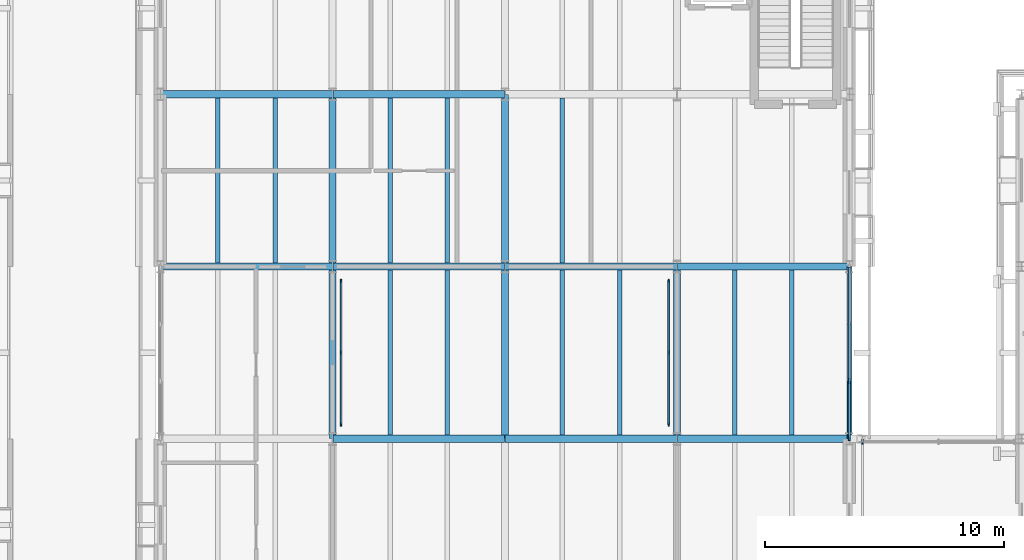
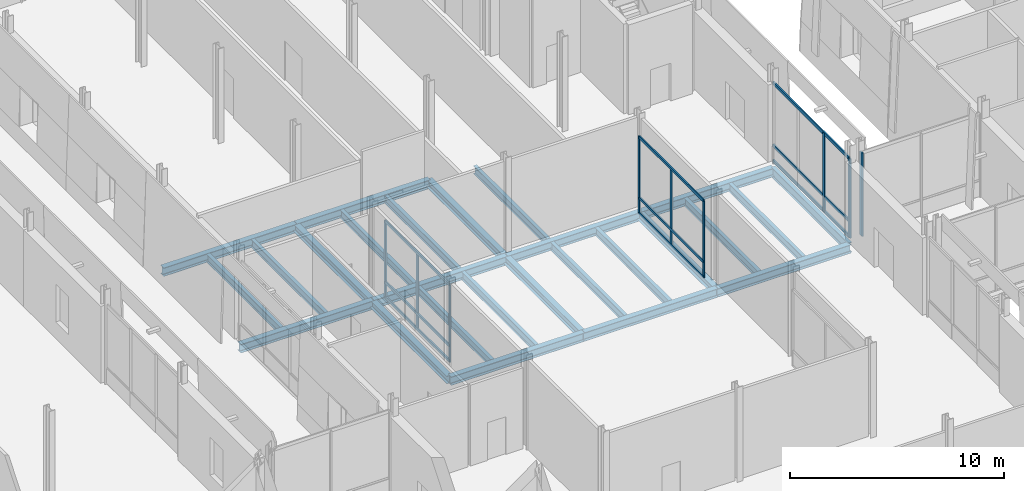
# One storey, part 29 of 120: 26 beams, 18 members, 4 elements without a shape of their own.
"""IFC4 building model written with IfcOpenShell, lengths in metres."""

from ifc_helpers import new_model, si_unit, direction, frame, origin, origin_2d, place, context, subcontext, project, spatial, rectangle, i_section, extrude, material, layer, layer_set, material_profile, profile_set, type_object, element, aggregate, save


model = new_model("IFC4")

# Units and contexts
model_context = context("Model", 3, precision=1e-05, world=origin(), true_north=direction((0.0, 1.0)))
body_context = subcontext(model_context, "Body", "Model", "MODEL_VIEW")
ifc_project = project(units=[si_unit("LENGTHUNIT", "METRE"), si_unit("AREAUNIT", "SQUARE_METRE"), si_unit("VOLUMEUNIT", "CUBIC_METRE"), si_unit("PLANEANGLEUNIT", "RADIAN"), si_unit("MASSUNIT", "GRAM", prefix="KILO")], contexts=[model_context])

# Site, building, storey
site_placement = place(None, origin())
site = spatial("IfcSite", under=ifc_project, at=site_placement, CompositionType="ELEMENT")
building_placement = place(site_placement, origin())
building = spatial("IfcBuilding", under=site, at=building_placement, Name="Narikvali Park Central Library", CompositionType="ELEMENT")
storey_placement = place(building_placement, origin())
storey = spatial("IfcBuildingStorey", under=building, at=storey_placement, Name="L00", CompositionType="ELEMENT", Elevation=0.0)

# Beams
ifc_material_1 = material(Name="Steel S355", Category="steel")
ifc_material_profile_1 = material_profile(ifc_material_1, i_section(OverallWidth=0.18994140625, OverallDepth=0.449951171875, WebThickness=0.009521484375, FlangeThickness=0.0146484375, FilletRadius=0.02099609375, at=origin_2d()), Name="IPE 450")
ifc_profile_set_1 = profile_set([ifc_material_profile_1], Name="Steel S355")
beam_type_1 = type_object("IfcBeamType", Name="Composite Floor Joist IPE450", PredefinedType="JOIST", material=ifc_profile_set_1)
for number, where, z_axis, x_axis, name in (
    (1, (31.199951171875, 86.550048828125, -0.544921875), (0.0, 1.0, 0.0), (-1.0, 0.0, 0.0), "V4 L00 Composite Joist 1"),
    (2, (33.60009765625, 86.550048828125, -0.544921875), (0.0, 1.0, 0.0), (-1.0, 0.0, 0.0), "V4 L00 Composite Joist 2"),
    (3, (38.39990234375, 79.35009765625, -0.544921875), (0.0, 1.0, 0.0), (-1.0, 0.0, 0.0), "V4 L00 Composite Joist 1"),
    (4, (40.800048828125, 79.35009765625, -0.544921875), (0.0, 1.0, 0.0), (-1.0, 0.0, 0.0), "V4 L00 Composite Joist 2"),
    (5, (38.39990234375, 86.550048828125, -0.544921875), (0.0, 1.0, 0.0), (-1.0, 0.0, 0.0), "V4 L00 Composite Joist 1"),
    (6, (40.800048828125, 86.550048828125, -0.544921875), (0.0, 1.0, 0.0), (-1.0, 0.0, 0.0), "V4 L00 Composite Joist 2"),
    (7, (45.60009765625, 79.35009765625, -0.544921875), (0.0, 1.0, 0.0), (-1.0, 0.0, 0.0), "V4 L00 Composite Joist 1"),
    (8, (48.0, 79.35009765625, -0.544921875), (0.0, 1.0, 0.0), (-1.0, 0.0, 0.0), "V4 L00 Composite Joist 2"),
    (9, (45.60009765625, 86.550048828125, -0.544921875), (0.0, 1.0, 0.0), (-1.0, 0.0, 0.0), "V4 L00 Composite Joist 1"),
    (10, (52.800048828125, 79.35009765625, -0.544921875), (0.0, 1.0, 0.0), (-1.0, 0.0, 0.0), "V4 L00 Composite Joist 1"),
    (11, (55.199951171875, 79.35009765625, -0.544921875), (0.0, 1.0, 0.0), (-1.0, 0.0, 0.0), "V4 L00 Composite Joist 2"),
):
    element("IfcBeam", number, at=place(storey_placement, frame(where, z_axis=z_axis, x_axis=x_axis)), inside=storey, type_object=beam_type_1, Name=name, PredefinedType="JOIST", context=body_context, shape_type="SweptSolid", body=[
        extrude(i_section(OverallWidth=0.18994140625, OverallDepth=0.449951171875, WebThickness=0.009521484375, FlangeThickness=0.0146484375, FilletRadius=0.02099609375, at=origin_2d()), origin(), (0.0, 0.0, 1.0), 6.89990234375),
    ])

# Curtain wall, members
ifc_material_2 = material(Name="Anodised Bronze Aluminium", Category="aluminium")
ifc_layer_1 = layer(ifc_material_2, 0.219970703125, Name="Anodised Bronze Aluminium")
ifc_layer_set_1 = layer_set([ifc_layer_1], Name="Anodised Bronze Aluminium")
curtain_wall_type_1 = type_object("IfcCurtainWallType", Name="Atrium Tall Curtain Wall System", PredefinedType="NOTDEFINED", material=ifc_layer_set_1)
curtain_wall_1_placement = place(storey_placement, origin())
curtain_wall_1 = element("IfcCurtainWall", 12, at=curtain_wall_1_placement, inside=storey, type_object=curtain_wall_type_1, Name="Atrium Tall Curtain Wall System CW-V4-L00-E-05", PredefinedType="NOTDEFINED")
ifc_material_profile_2 = material_profile(ifc_material_2, rectangle(XDim=0.074951171875, YDim=0.219970703125, at=origin_2d()), Name="CW MULLION 75x220")
ifc_profile_set_2 = profile_set([ifc_material_profile_2], Name="Anodised Bronze Aluminium")
member_type_1 = type_object("IfcMemberType", Name="Curtain Wall Heavy Mullion 75x220", PredefinedType="MULLION", material=ifc_profile_set_2)
member_1_placement = place(storey_placement, frame((57.60009765625, 79.238037109375, -0.010009765625), z_axis=(0.0, 0.0, 1.0), x_axis=(1.0, 0.0, 0.0)))
member_1 = element("IfcMember", 13, at=member_1_placement, type_object=member_type_1, Name="CW-V4-L00-E-05 Mullion 00", PredefinedType="MULLION", context=body_context, shape_type="SweptSolid", body=[
    extrude(rectangle(XDim=0.074951171875, YDim=0.219970703125, at=origin_2d()), origin(), (0.0, 0.0, 1.0), 4.510009765625),
])
member_2_placement = place(storey_placement, frame((57.60009765625, 81.61279296875, -0.010009765625), z_axis=(0.0, 0.0, 1.0), x_axis=(1.0, 0.0, 0.0)))
member_2 = element("IfcMember", 14, at=member_2_placement, type_object=member_type_1, Name="CW-V4-L00-E-05 Mullion 01", PredefinedType="MULLION", context=body_context, shape_type="SweptSolid", body=[
    extrude(rectangle(XDim=0.074951171875, YDim=0.219970703125, at=origin_2d()), origin(), (0.0, 0.0, 1.0), 4.510009765625),
])

# Curtain wall, member
ifc_layer_2 = layer(ifc_material_2, 0.219970703125, Name="Anodised Bronze Aluminium")
ifc_layer_set_2 = layer_set([ifc_layer_2], Name="Anodised Bronze Aluminium")
curtain_wall_type_2 = type_object("IfcCurtainWallType", Name="Bridge Covered Passage Glazing System", PredefinedType="NOTDEFINED", material=ifc_layer_set_2)
curtain_wall_2_placement = place(storey_placement, origin())
curtain_wall_2 = element("IfcCurtainWall", 15, at=curtain_wall_2_placement, inside=storey, type_object=curtain_wall_type_2, Name="Bridge Covered Passage Glazing System CW-BRG-2-L00-N1", PredefinedType="NOTDEFINED")
member_3_placement = place(storey_placement, frame((58.14990234375, 79.080078125, -0.010009765625), z_axis=(0.0, 0.0, 1.0), x_axis=(1.0, 0.0, 0.0)))
member_3 = element("IfcMember", 16, at=member_3_placement, type_object=member_type_1, Name="CW-BRG-2-L00-N1 Mullion 00", PredefinedType="MULLION", context=body_context, shape_type="SweptSolid", body=[
    extrude(rectangle(XDim=0.074951171875, YDim=0.219970703125, at=origin_2d()), origin(), (0.0, 0.0, 1.0), 4.760009765625),
])
aggregate(curtain_wall_2, [member_3])

# Member
ifc_material_profile_3 = material_profile(ifc_material_2, rectangle(XDim=0.074951171875, YDim=0.179931640625, at=origin_2d()), Name="CW TRANSOM 75x180")
ifc_profile_set_3 = profile_set([ifc_material_profile_3], Name="Anodised Bronze Aluminium")
member_type_2 = type_object("IfcMemberType", Name="Curtain Wall Heavy Transom 75x180", PredefinedType="USERDEFINED", material=ifc_profile_set_3)
member_4_placement = place(storey_placement, frame((57.60009765625, 79.238037109375, 0.030029296875), z_axis=(0.0, 1.0, 0.0), x_axis=(-1.0, 0.0, 0.0)))
member_4 = element("IfcMember", 17, at=member_4_placement, type_object=member_type_2, Name="CW-V4-L00-E-05 Transom 00", ObjectType="TRANSOM", PredefinedType="USERDEFINED", context=body_context, shape_type="SweptSolid", body=[
    extrude(rectangle(XDim=0.074951171875, YDim=0.179931640625, at=origin_2d()), origin(), (0.0, 0.0, 1.0), 7.1240234375),
])

member_5_placement = place(storey_placement, frame((57.60009765625, 79.238037109375, 0.89990234375), z_axis=(0.0, 1.0, 0.0), x_axis=(-1.0, 0.0, 0.0)))
member_5 = element("IfcMember", 18, at=member_5_placement, type_object=member_type_2, Name="CW-V4-L00-E-05 Transom 01", ObjectType="TRANSOM", PredefinedType="USERDEFINED", context=body_context, shape_type="SweptSolid", body=[
    extrude(rectangle(XDim=0.074951171875, YDim=0.179931640625, at=origin_2d()), origin(), (0.0, 0.0, 1.0), 7.1240234375),
])

member_6_placement = place(storey_placement, frame((57.60009765625, 79.238037109375, 4.469970703125), z_axis=(0.0, 1.0, 0.0), x_axis=(-1.0, 0.0, 0.0)))
member_6 = element("IfcMember", 19, at=member_6_placement, type_object=member_type_2, Name="CW-V4-L00-E-05 Transom 02", ObjectType="TRANSOM", PredefinedType="USERDEFINED", context=body_context, shape_type="SweptSolid", body=[
    extrude(rectangle(XDim=0.074951171875, YDim=0.179931640625, at=origin_2d()), origin(), (0.0, 0.0, 1.0), 7.1240234375),
])

aggregate(curtain_wall_1, [member_1, member_2, member_4, member_5, member_6])

# Curtain wall, members
curtain_wall_3_placement = place(storey_placement, origin())
curtain_wall_3 = element("IfcCurtainWall", 20, at=curtain_wall_3_placement, inside=storey, type_object=curtain_wall_type_1, Name="Atrium Tall Curtain Wall System CW-GAL-V4-L00-ATR-W2", PredefinedType="NOTDEFINED")
ifc_material_profile_4 = material_profile(ifc_material_2, rectangle(XDim=0.06005859375, YDim=0.14990234375, at=origin_2d()), Name="CW MULLION 60x150")
ifc_profile_set_4 = profile_set([ifc_material_profile_4], Name="Anodised Bronze Aluminium")
member_type_3 = type_object("IfcMemberType", Name="Curtain Wall Mullion 60x150", PredefinedType="MULLION", material=ifc_profile_set_4)
member_7_placement = place(storey_placement, frame((36.35009765625, 79.800048828125, -0.010009765625), z_axis=(0.0, 0.0, 1.0), x_axis=(1.0, 0.0, 0.0)))
member_7 = element("IfcMember", 21, at=member_7_placement, type_object=member_type_3, Name="CW-GAL-V4-L00-ATR-W2 Mullion 00", PredefinedType="MULLION", context=body_context, shape_type="SweptSolid", body=[
    extrude(rectangle(XDim=0.06005859375, YDim=0.14990234375, at=origin_2d()), origin(), (0.0, 0.0, 1.0), 4.409912109375),
])
member_8_placement = place(storey_placement, frame((36.35009765625, 82.800048828125, -0.010009765625), z_axis=(0.0, 0.0, 1.0), x_axis=(1.0, 0.0, 0.0)))
member_8 = element("IfcMember", 22, at=member_8_placement, type_object=member_type_3, Name="CW-GAL-V4-L00-ATR-W2 Mullion 01", PredefinedType="MULLION", context=body_context, shape_type="SweptSolid", body=[
    extrude(rectangle(XDim=0.06005859375, YDim=0.14990234375, at=origin_2d()), origin(), (0.0, 0.0, 1.0), 4.409912109375),
])
member_9_placement = place(storey_placement, frame((36.35009765625, 85.800048828125, -0.010009765625), z_axis=(0.0, 0.0, 1.0), x_axis=(1.0, 0.0, 0.0)))
member_9 = element("IfcMember", 23, at=member_9_placement, type_object=member_type_3, Name="CW-GAL-V4-L00-ATR-W2 Mullion 02", PredefinedType="MULLION", context=body_context, shape_type="SweptSolid", body=[
    extrude(rectangle(XDim=0.06005859375, YDim=0.14990234375, at=origin_2d()), origin(), (0.0, 0.0, 1.0), 4.409912109375),
])

curtain_wall_4_placement = place(storey_placement, origin())
curtain_wall_4 = element("IfcCurtainWall", 24, at=curtain_wall_4_placement, inside=storey, type_object=curtain_wall_type_1, Name="Atrium Tall Curtain Wall System CW-GAL-V4-L00-ATR-E2", PredefinedType="NOTDEFINED")
member_10_placement = place(storey_placement, frame((50.050048828125, 79.800048828125, -0.010009765625), z_axis=(0.0, 0.0, 1.0), x_axis=(1.0, 0.0, 0.0)))
member_10 = element("IfcMember", 25, at=member_10_placement, type_object=member_type_3, Name="CW-GAL-V4-L00-ATR-E2 Mullion 00", PredefinedType="MULLION", context=body_context, shape_type="SweptSolid", body=[
    extrude(rectangle(XDim=0.06005859375, YDim=0.14990234375, at=origin_2d()), origin(), (0.0, 0.0, 1.0), 4.409912109375),
])
member_11_placement = place(storey_placement, frame((50.050048828125, 82.800048828125, -0.010009765625), z_axis=(0.0, 0.0, 1.0), x_axis=(1.0, 0.0, 0.0)))
member_11 = element("IfcMember", 26, at=member_11_placement, type_object=member_type_3, Name="CW-GAL-V4-L00-ATR-E2 Mullion 01", PredefinedType="MULLION", context=body_context, shape_type="SweptSolid", body=[
    extrude(rectangle(XDim=0.06005859375, YDim=0.14990234375, at=origin_2d()), origin(), (0.0, 0.0, 1.0), 4.409912109375),
])
member_12_placement = place(storey_placement, frame((50.050048828125, 85.800048828125, -0.010009765625), z_axis=(0.0, 0.0, 1.0), x_axis=(1.0, 0.0, 0.0)))
member_12 = element("IfcMember", 27, at=member_12_placement, type_object=member_type_3, Name="CW-GAL-V4-L00-ATR-E2 Mullion 02", PredefinedType="MULLION", context=body_context, shape_type="SweptSolid", body=[
    extrude(rectangle(XDim=0.06005859375, YDim=0.14990234375, at=origin_2d()), origin(), (0.0, 0.0, 1.0), 4.409912109375),
])

# Member
ifc_material_profile_5 = material_profile(ifc_material_2, rectangle(XDim=0.070068359375, YDim=0.159912109375, at=origin_2d()), Name="CW TRANSOM 70x160")
ifc_profile_set_5 = profile_set([ifc_material_profile_5], Name="Anodised Bronze Aluminium")
member_type_4 = type_object("IfcMemberType", Name="Curtain Wall Transom 70x160", PredefinedType="USERDEFINED", material=ifc_profile_set_5)
member_13_placement = place(storey_placement, frame((36.35009765625, 79.800048828125, 0.030029296875), z_axis=(0.0, 1.0, 0.0), x_axis=(-1.0, 0.0, 0.0)))
member_13 = element("IfcMember", 28, at=member_13_placement, type_object=member_type_4, Name="CW-GAL-V4-L00-ATR-W2 Transom 00", ObjectType="TRANSOM", PredefinedType="USERDEFINED", context=body_context, shape_type="SweptSolid", body=[
    extrude(rectangle(XDim=0.070068359375, YDim=0.159912109375, at=origin_2d()), origin(), (0.0, 0.0, 1.0), 6.0),
])

member_14_placement = place(storey_placement, frame((36.35009765625, 79.800048828125, 0.89990234375), z_axis=(0.0, 1.0, 0.0), x_axis=(-1.0, 0.0, 0.0)))
member_14 = element("IfcMember", 29, at=member_14_placement, type_object=member_type_4, Name="CW-GAL-V4-L00-ATR-W2 Transom 01", ObjectType="TRANSOM", PredefinedType="USERDEFINED", context=body_context, shape_type="SweptSolid", body=[
    extrude(rectangle(XDim=0.070068359375, YDim=0.159912109375, at=origin_2d()), origin(), (0.0, 0.0, 1.0), 6.0),
])

member_15_placement = place(storey_placement, frame((36.35009765625, 79.800048828125, 4.3701171875), z_axis=(0.0, 1.0, 0.0), x_axis=(-1.0, 0.0, 0.0)))
member_15 = element("IfcMember", 30, at=member_15_placement, type_object=member_type_4, Name="CW-GAL-V4-L00-ATR-W2 Transom 02", ObjectType="TRANSOM", PredefinedType="USERDEFINED", context=body_context, shape_type="SweptSolid", body=[
    extrude(rectangle(XDim=0.070068359375, YDim=0.159912109375, at=origin_2d()), origin(), (0.0, 0.0, 1.0), 6.0),
])

aggregate(curtain_wall_3, [member_7, member_8, member_9, member_13, member_14, member_15])

member_16_placement = place(storey_placement, frame((50.050048828125, 79.800048828125, 0.030029296875), z_axis=(0.0, 1.0, 0.0), x_axis=(-1.0, 0.0, 0.0)))
member_16 = element("IfcMember", 31, at=member_16_placement, type_object=member_type_4, Name="CW-GAL-V4-L00-ATR-E2 Transom 00", ObjectType="TRANSOM", PredefinedType="USERDEFINED", context=body_context, shape_type="SweptSolid", body=[
    extrude(rectangle(XDim=0.070068359375, YDim=0.159912109375, at=origin_2d()), origin(), (0.0, 0.0, 1.0), 6.0),
])

member_17_placement = place(storey_placement, frame((50.050048828125, 79.800048828125, 0.89990234375), z_axis=(0.0, 1.0, 0.0), x_axis=(-1.0, 0.0, 0.0)))
member_17 = element("IfcMember", 32, at=member_17_placement, type_object=member_type_4, Name="CW-GAL-V4-L00-ATR-E2 Transom 01", ObjectType="TRANSOM", PredefinedType="USERDEFINED", context=body_context, shape_type="SweptSolid", body=[
    extrude(rectangle(XDim=0.070068359375, YDim=0.159912109375, at=origin_2d()), origin(), (0.0, 0.0, 1.0), 6.0),
])

member_18_placement = place(storey_placement, frame((50.050048828125, 79.800048828125, 4.3701171875), z_axis=(0.0, 1.0, 0.0), x_axis=(-1.0, 0.0, 0.0)))
member_18 = element("IfcMember", 33, at=member_18_placement, type_object=member_type_4, Name="CW-GAL-V4-L00-ATR-E2 Transom 02", ObjectType="TRANSOM", PredefinedType="USERDEFINED", context=body_context, shape_type="SweptSolid", body=[
    extrude(rectangle(XDim=0.070068359375, YDim=0.159912109375, at=origin_2d()), origin(), (0.0, 0.0, 1.0), 6.0),
])

aggregate(curtain_wall_4, [member_10, member_11, member_12, member_16, member_17, member_18])

# Beams
ifc_material_profile_6 = material_profile(ifc_material_1, i_section(OverallWidth=0.2099609375, OverallDepth=0.550048828125, WebThickness=0.010986328125, FlangeThickness=0.01708984375, FilletRadius=0.02392578125, at=origin_2d()), Name="IPE 550")
ifc_profile_set_6 = profile_set([ifc_material_profile_6], Name="Steel S355")
beam_type_2 = type_object("IfcBeamType", Name="Perimeter Spandrel IPE550", PredefinedType="SPANDREL", material=ifc_profile_set_6)
beam_1_placement = place(storey_placement, frame((57.60009765625, 79.2080078125, -0.594970703125), z_axis=(0.0, 1.0, 0.0), x_axis=(-1.0, 0.0, 0.0)))
element("IfcBeam", 34, at=beam_1_placement, inside=storey, type_object=beam_type_2, Name="V4 L00 Girder Y", PredefinedType="SPANDREL", context=body_context, shape_type="SweptSolid", body=[
    extrude(i_section(OverallWidth=0.2099609375, OverallDepth=0.550048828125, WebThickness=0.010986328125, FlangeThickness=0.01708984375, FilletRadius=0.02392578125, at=origin_2d()), origin(), (0.0, 0.0, 1.0), 7.18408203125),
])
ifc_material_profile_7 = material_profile(ifc_material_1, i_section(OverallWidth=0.300048828125, OverallDepth=0.43994140625, WebThickness=0.011474609375, FlangeThickness=0.02099609375, FilletRadius=0.027099609375, at=origin_2d()), Name="HEA 450")
ifc_profile_set_7 = profile_set([ifc_material_profile_7], Name="Steel S355")
beam_type_3 = type_object("IfcBeamType", Name="Primary Girder HEA450", PredefinedType="BEAM", material=ifc_profile_set_7)
for number, where, z_axis, x_axis, name in (
    (35, (36.0, 79.2080078125, -0.5400390625), (0.0, 1.0, 0.0), (-1.0, 0.0, 0.0), "V4 L00 Girder Y"),
    (36, (36.0, 86.407958984375, -0.5400390625), (0.0, 1.0, 0.0), (-1.0, 0.0, 0.0), "V4 L00 Girder Y"),
    (37, (43.199951171875, 79.2080078125, -0.5400390625), (0.0, 1.0, 0.0), (-1.0, 0.0, 0.0), "V4 L00 Girder Y"),
    (38, (43.199951171875, 86.407958984375, -0.5400390625), (0.0, 1.0, 0.0), (-1.0, 0.0, 0.0), "V4 L00 Girder Y"),
    (39, (50.39990234375, 79.2080078125, -0.5400390625), (0.0, 1.0, 0.0), (-1.0, 0.0, 0.0), "V4 L00 Girder Y"),
):
    element("IfcBeam", number, at=place(storey_placement, frame(where, z_axis=z_axis, x_axis=x_axis)), inside=storey, type_object=beam_type_3, Name=name, PredefinedType="BEAM", context=body_context, shape_type="SweptSolid", body=[
        extrude(i_section(OverallWidth=0.300048828125, OverallDepth=0.43994140625, WebThickness=0.011474609375, FlangeThickness=0.02099609375, FilletRadius=0.027099609375, at=origin_2d()), origin(), (0.0, 0.0, 1.0), 7.18408203125),
    ])
ifc_material_profile_8 = material_profile(ifc_material_1, i_section(OverallWidth=0.300048828125, OverallDepth=0.489990234375, WebThickness=0.011962890625, FlangeThickness=0.02294921875, FilletRadius=0.027099609375, at=origin_2d()), Name="HEA 500")
ifc_profile_set_8 = profile_set([ifc_material_profile_8], Name="Steel S355")
beam_type_4 = type_object("IfcBeamType", Name="Primary Girder HEA500", PredefinedType="BEAM", material=ifc_profile_set_8)
beam_2_placement = place(storey_placement, frame((36.008056640625, 79.199951171875, -0.56494140625), z_axis=(1.0, 0.0, 0.0), x_axis=(0.0, 1.0, 0.0)))
element("IfcBeam", 40, at=beam_2_placement, inside=storey, type_object=beam_type_4, Name="V4 L00 Girder X", PredefinedType="BEAM", context=body_context, shape_type="SweptSolid", body=[
    extrude(i_section(OverallWidth=0.300048828125, OverallDepth=0.489990234375, WebThickness=0.011962890625, FlangeThickness=0.02294921875, FilletRadius=0.027099609375, at=origin_2d()), origin(), (0.0, 0.0, 1.0), 7.183837890625),
])
for number, where, z_axis, x_axis, name in (
    (41, (43.2080078125, 79.199951171875, -0.56494140625), (1.0, 0.0, 0.0), (0.0, 1.0, 0.0), "V4 L00 Girder X"),
    (42, (50.407958984375, 79.199951171875, -0.56494140625), (1.0, 0.0, 0.0), (0.0, 1.0, 0.0), "V4 L00 Girder X"),
):
    element("IfcBeam", number, at=place(storey_placement, frame(where, z_axis=z_axis, x_axis=x_axis)), inside=storey, type_object=beam_type_4, Name=name, PredefinedType="BEAM", context=body_context, shape_type="SweptSolid", body=[
        extrude(i_section(OverallWidth=0.300048828125, OverallDepth=0.489990234375, WebThickness=0.011962890625, FlangeThickness=0.02294921875, FilletRadius=0.027099609375, at=origin_2d()), origin(), (0.0, 0.0, 1.0), 7.18408203125),
    ])
for number, where, z_axis, x_axis, name in (
    (43, (28.80810546875, 86.39990234375, -0.56494140625), (1.0, 0.0, 0.0), (0.0, 1.0, 0.0), "V4 L00 Girder X"),
    (44, (36.008056640625, 86.39990234375, -0.56494140625), (1.0, 0.0, 0.0), (0.0, 1.0, 0.0), "V4 L00 Girder X"),
):
    element("IfcBeam", number, at=place(storey_placement, frame(where, z_axis=z_axis, x_axis=x_axis)), inside=storey, type_object=beam_type_4, Name=name, PredefinedType="BEAM", context=body_context, shape_type="SweptSolid", body=[
        extrude(i_section(OverallWidth=0.300048828125, OverallDepth=0.489990234375, WebThickness=0.011962890625, FlangeThickness=0.02294921875, FilletRadius=0.027099609375, at=origin_2d()), origin(), (0.0, 0.0, 1.0), 7.183837890625),
    ])
for number, where, z_axis, x_axis, name in (
    (45, (43.2080078125, 86.39990234375, -0.56494140625), (1.0, 0.0, 0.0), (0.0, 1.0, 0.0), "V4 L00 Girder X"),
    (46, (50.407958984375, 86.39990234375, -0.56494140625), (1.0, 0.0, 0.0), (0.0, 1.0, 0.0), "V4 L00 Girder X"),
):
    element("IfcBeam", number, at=place(storey_placement, frame(where, z_axis=z_axis, x_axis=x_axis)), inside=storey, type_object=beam_type_4, Name=name, PredefinedType="BEAM", context=body_context, shape_type="SweptSolid", body=[
        extrude(i_section(OverallWidth=0.300048828125, OverallDepth=0.489990234375, WebThickness=0.011962890625, FlangeThickness=0.02294921875, FilletRadius=0.027099609375, at=origin_2d()), origin(), (0.0, 0.0, 1.0), 7.18408203125),
    ])
for number, where, z_axis, x_axis, name in (
    (47, (28.80810546875, 93.60009765625, -0.56494140625), (1.0, 0.0, 0.0), (0.0, 1.0, 0.0), "V4 L00 Girder X"),
    (48, (36.008056640625, 93.60009765625, -0.56494140625), (1.0, 0.0, 0.0), (0.0, 1.0, 0.0), "V4 L00 Girder X"),
):
    element("IfcBeam", number, at=place(storey_placement, frame(where, z_axis=z_axis, x_axis=x_axis)), inside=storey, type_object=beam_type_4, Name=name, PredefinedType="BEAM", context=body_context, shape_type="SweptSolid", body=[
        extrude(i_section(OverallWidth=0.300048828125, OverallDepth=0.489990234375, WebThickness=0.011962890625, FlangeThickness=0.02294921875, FilletRadius=0.027099609375, at=origin_2d()), origin(), (0.0, 0.0, 1.0), 7.183837890625),
    ])

save(model, "model.ifc")
